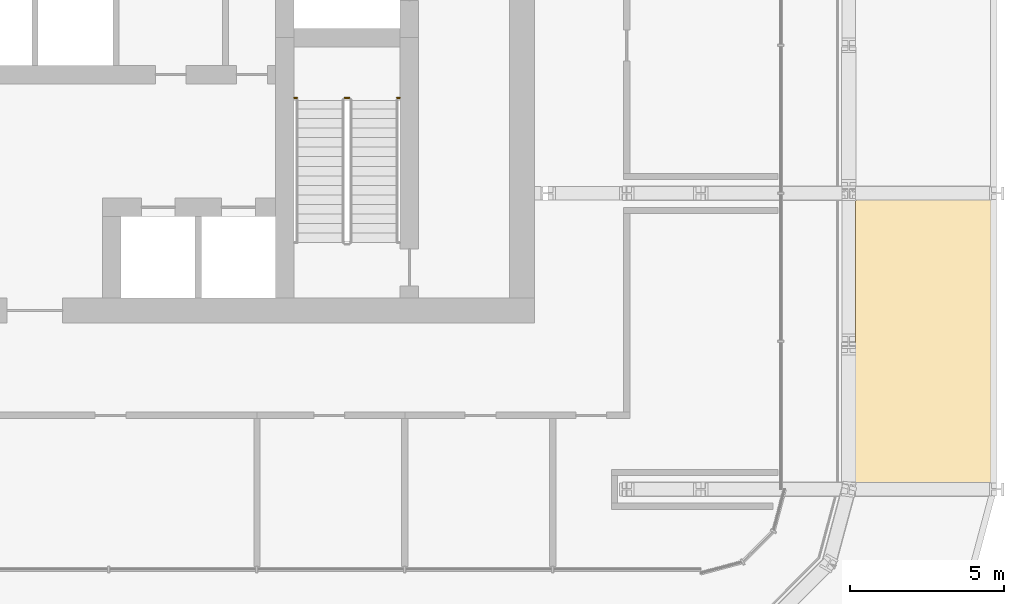
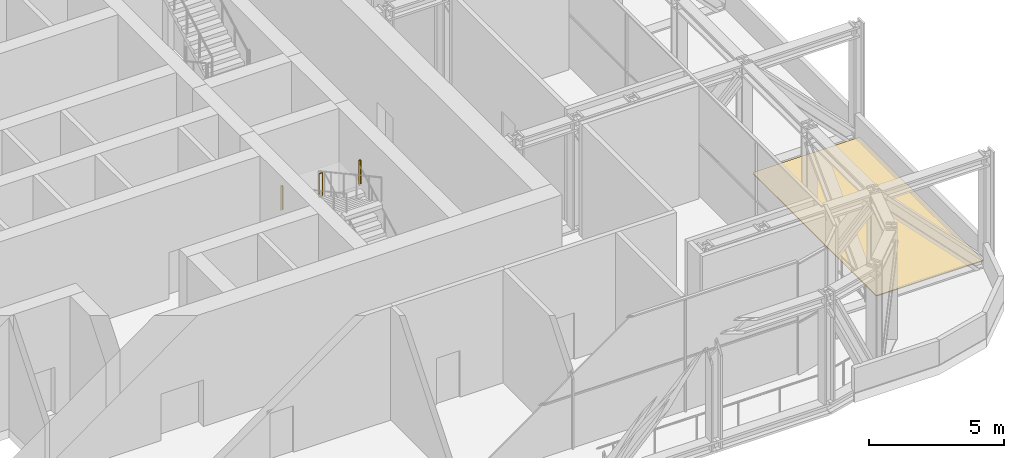
# One storey, part 23 of 25: 3 railings, 1 covering.
"""IFC4 building model written with IfcOpenShell, lengths in metres."""

from ifc_helpers import new_model, si_unit, direction, frame, origin, origin_2d, place, context, subcontext, project, spatial, polyline, circle, outline, extrude, material, layer, layer_set, type_object, element, save


model = new_model("IFC4")

# Units and contexts
model_context = context("Model", 3, precision=1e-05, world=origin(), true_north=direction((0.0, 1.0)))
body_context = subcontext(model_context, "Body", "Model", "MODEL_VIEW")
ifc_project = project(units=[si_unit("LENGTHUNIT", "METRE"), si_unit("AREAUNIT", "SQUARE_METRE"), si_unit("VOLUMEUNIT", "CUBIC_METRE"), si_unit("PLANEANGLEUNIT", "RADIAN"), si_unit("MASSUNIT", "GRAM", prefix="KILO")], contexts=[model_context])

# Site, building, storey
site_placement = place(None, origin())
site = spatial("IfcSite", under=ifc_project, at=site_placement, CompositionType="ELEMENT")
building_placement = place(site_placement, origin())
building = spatial("IfcBuilding", under=site, at=building_placement, Name="Madar Terraces", CompositionType="ELEMENT")
storey_placement = place(building_placement, frame((0.0, 0.0, 113.699951171875)))
storey = spatial("IfcBuildingStorey", under=building, at=storey_placement, Name="L29", CompositionType="ELEMENT", Elevation=113.699951171875)

# Railings
ifc_material_1 = material(Name="Stainless steel railing", Category="steel")
railing_type = type_object("IfcRailingType", Name="Stair guard 1100", PredefinedType="GUARDRAIL", material=ifc_material_1)
railing_1_placement = place(storey_placement, frame((41.39990234375, 22.300048828125, 2.699951171875)))
element("IfcRailing", 1, at=railing_1_placement, inside=storey, type_object=railing_type, Name="L29 ST3 stair guard 2", PredefinedType="GUARDRAIL", context=body_context, shape_type="SweptSolid", body=[
    extrude(circle(Radius=0.02392578125, at=origin_2d()), frame((0.0, 0.0, 1.076171875), z_axis=(-1.0, 0.0, 0.0), x_axis=(0.0, -1.0, 0.0)), (0.0, 0.0, 1.0), 0.14990234375),
    extrude(circle(Radius=0.02099609375, at=origin_2d()), origin(), (0.0, 0.0, 1.0), 1.052001953125),
    extrude(circle(Radius=0.02099609375, at=origin_2d()), frame((-0.14990234375, 0.0, 0.0)), (0.0, 0.0, 1.0), 1.052001953125),
])
railing_2_placement = place(storey_placement, frame((39.6201171875, 22.300048828125, 2.699951171875)))
element("IfcRailing", 2, at=railing_2_placement, inside=storey, type_object=railing_type, Name="L29 stair guard seat 1", PredefinedType="GUARDRAIL", context=body_context, shape_type="SweptSolid", body=[
    extrude(circle(Radius=0.02392578125, at=origin_2d()), frame((0.0, 0.0, 1.076171875), z_axis=(1.0, 0.0, 0.0), x_axis=(0.0, 1.0, 0.0)), (0.0, 0.0, 1.0), 0.079833984375),
    extrude(circle(Radius=0.02099609375, at=origin_2d()), origin(), (0.0, 0.0, 1.0), 1.052001953125),
    extrude(circle(Radius=0.02099609375, at=origin_2d()), frame((0.079833984375, 0.0, 0.0)), (0.0, 0.0, 1.0), 1.052001953125),
])
railing_3_placement = place(storey_placement, frame((42.949951171875, 22.300048828125, 2.699951171875)))
element("IfcRailing", 3, at=railing_3_placement, inside=storey, type_object=railing_type, Name="L29 stair guard seat 2", PredefinedType="GUARDRAIL", context=body_context, shape_type="SweptSolid", body=[
    extrude(circle(Radius=0.02392578125, at=origin_2d()), frame((0.0, 0.0, 1.076171875), z_axis=(1.0, 0.0, 0.0), x_axis=(0.0, 1.0, 0.0)), (0.0, 0.0, 1.0), 0.080078125),
    extrude(circle(Radius=0.02099609375, at=origin_2d()), origin(), (0.0, 0.0, 1.0), 1.052001953125),
    extrude(circle(Radius=0.02099609375, at=origin_2d()), frame((0.080078125, 0.0, 0.0)), (0.0, 0.0, 1.0), 1.052001953125),
])

# Covering
ifc_material_2 = material(Name="Porcelain paving slabs on pedestals")
ifc_layer = layer(ifc_material_2, 0.0400390625)
ifc_layer_set = layer_set([ifc_layer], Name="Terrace paving 40")
covering_type = type_object("IfcCoveringType", Name="Terrace paving 40", PredefinedType="FLOORING", material=ifc_layer_set)
covering_placement = place(storey_placement, origin())
element("IfcCovering", 4, at=covering_placement, inside=storey, type_object=covering_type, Name="Terrace paving", PredefinedType="FLOORING", context=body_context, shape_type="SweptSolid", body=[
    extrude(outline(polyline([(62.397705078125, 9.8564453125), (62.396240234375, 9.851806640625), (62.39404296875, 9.847412109375), (62.3916015625, 9.84326171875), (62.388671875, 9.83935546875), (62.385498046875, 9.835693359375), (62.381591796875, 9.832275390625), (62.377685546875, 9.829345703125), (62.37353515625, 9.826904296875), (62.369140625, 9.82470703125), (62.364501953125, 9.822998046875), (62.35986328125, 9.822021484375), (62.35498046875, 9.8212890625), (62.35009765625, 9.821044921875), (57.87109375, 9.821044921875), (57.8662109375, 9.8212890625), (57.861083984375, 9.822021484375), (57.8564453125, 9.822998046875), (57.851806640625, 9.82470703125), (57.847412109375, 9.826904296875), (57.84326171875, 9.829345703125), (57.83935546875, 9.832275390625), (57.835693359375, 9.835693359375), (57.832275390625, 9.83935546875), (57.829345703125, 9.84326171875), (57.826904296875, 9.847412109375), (57.82470703125, 9.851806640625), (57.822998046875, 9.8564453125), (57.822021484375, 9.861083984375), (57.8212890625, 9.8662109375), (57.821044921875, 9.87109375), (57.821044921875, 18.928955078125), (57.8212890625, 18.933837890625), (57.822021484375, 18.938720703125), (57.822998046875, 18.943603515625), (57.82470703125, 18.9482421875), (57.826904296875, 18.95263671875), (57.829345703125, 18.956787109375), (57.832275390625, 18.960693359375), (57.835693359375, 18.96435546875), (57.83935546875, 18.9677734375), (57.84326171875, 18.970703125), (57.847412109375, 18.97314453125), (57.851806640625, 18.97509765625), (57.8564453125, 18.976806640625), (57.861083984375, 18.97802734375), (57.8662109375, 18.978759765625), (57.87109375, 18.97900390625), (62.35009765625, 18.97900390625), (62.35498046875, 18.978759765625), (62.35986328125, 18.97802734375), (62.364501953125, 18.976806640625), (62.369140625, 18.97509765625), (62.37353515625, 18.97314453125), (62.377685546875, 18.970703125), (62.381591796875, 18.9677734375), (62.385498046875, 18.96435546875), (62.388671875, 18.960693359375), (62.3916015625, 18.956787109375), (62.39404296875, 18.95263671875), (62.396240234375, 18.9482421875), (62.397705078125, 18.943603515625), (62.39892578125, 18.938720703125), (62.39990234375, 18.933837890625), (62.39990234375, 18.928955078125), (62.39990234375, 9.87109375), (62.39990234375, 9.8662109375), (62.39892578125, 9.861083984375), (62.397705078125, 9.8564453125)])), origin(), (0.0, 0.0, 1.0), 0.0400390625),
])

save(model, "model.ifc")
